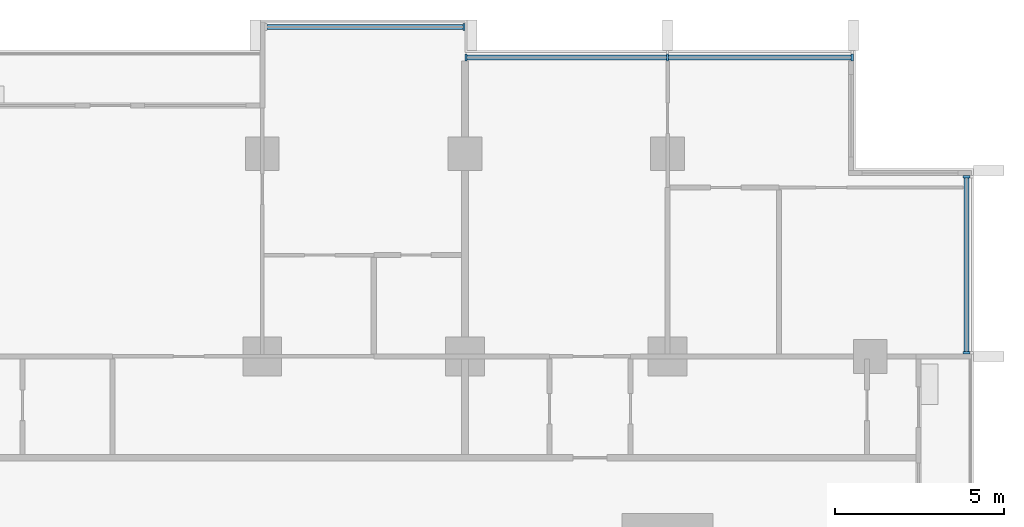
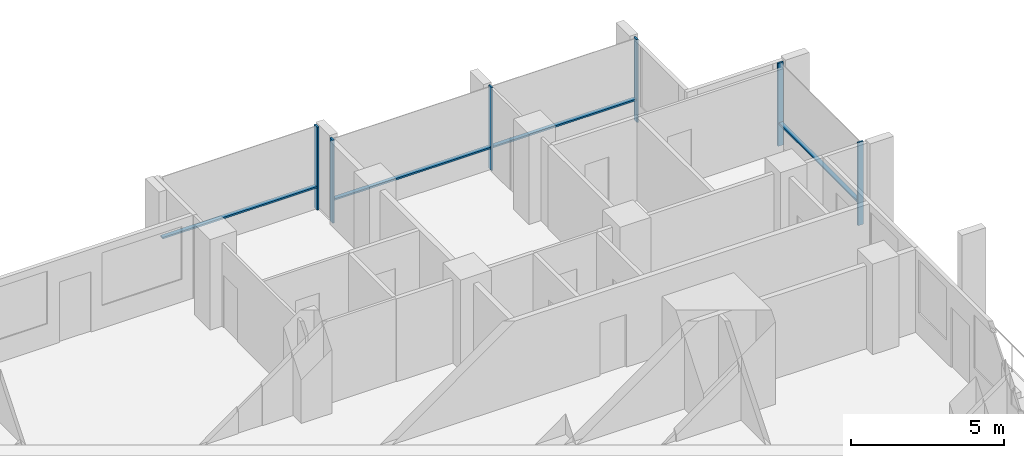
# One storey, part 5 of 17: 10 members, 3 elements without a shape of their own.
"""IFC4 building model written with IfcOpenShell, lengths in metres."""

from ifc_helpers import new_model, si_unit, direction, frame, origin, origin_2d, place, context, subcontext, project, spatial, rectangle, extrude, material, material_profile, profile_set, type_object, element, aggregate, save


model = new_model("IFC4")

# Units and contexts
model_context = context("Model", 3, precision=1e-05, world=origin(), true_north=direction((0.0, 1.0)))
body_context = subcontext(model_context, "Body", "Model", "MODEL_VIEW")
ifc_project = project(units=[si_unit("LENGTHUNIT", "METRE"), si_unit("AREAUNIT", "SQUARE_METRE"), si_unit("VOLUMEUNIT", "CUBIC_METRE"), si_unit("PLANEANGLEUNIT", "RADIAN"), si_unit("MASSUNIT", "GRAM", prefix="KILO")], contexts=[model_context])

# Site, building, storey
site_placement = place(None, origin())
site = spatial("IfcSite", under=ifc_project, at=site_placement, CompositionType="ELEMENT")
building_placement = place(site_placement, origin())
building = spatial("IfcBuilding", under=site, at=building_placement, Name="Finial Court Residences", CompositionType="ELEMENT")
storey_placement = place(building_placement, frame((0.0, 0.0, 95.5)))
storey = spatial("IfcBuildingStorey", under=building, at=storey_placement, Name="L23", CompositionType="ELEMENT", Elevation=95.5)

# Curtain wall, member
ifc_material = material(Name="Bronze anodised aluminium", Category="aluminium")
curtain_wall_type = type_object("IfcCurtainWallType", Name="Unitised curtain wall, lower and middle zones", PredefinedType="NOTDEFINED", material=ifc_material)
curtain_wall_1_placement = place(storey_placement, origin())
curtain_wall_1 = element("IfcCurtainWall", 1, at=curtain_wall_1_placement, inside=storey, type_object=curtain_wall_type, Name="E-L23-CW-N2", PredefinedType="NOTDEFINED")
ifc_material_profile_1 = material_profile(ifc_material, rectangle(XDim=0.199951171875, YDim=0.06494140625, at=origin_2d()), Name="CW1 mullion 65 x 200")
ifc_profile_set_1 = profile_set([ifc_material_profile_1], Name="Bronze anodised aluminium")
member_type_1 = type_object("IfcMemberType", Name="CW1 mullion 65 x 200", PredefinedType="MULLION", material=ifc_profile_set_1)
member_1_placement = place(storey_placement, frame((10.467529296875, 23.25, 0.0), z_axis=(0.0, 0.0, 1.0), x_axis=(0.0, 1.0, 0.0)))
member_1 = element("IfcMember", 2, at=member_1_placement, type_object=member_type_1, Name="CW1 mullion 2", PredefinedType="MULLION", context=body_context, shape_type="SweptSolid", body=[
    extrude(rectangle(XDim=0.199951171875, YDim=0.06494140625, at=origin_2d()), origin(), (0.0, 0.0, 1.0), 3.300048828125),
])

# Curtain wall, members
curtain_wall_2_placement = place(storey_placement, origin())
curtain_wall_2 = element("IfcCurtainWall", 3, at=curtain_wall_2_placement, inside=storey, type_object=curtain_wall_type, Name="E-L23-CW-N3", PredefinedType="NOTDEFINED")
member_2_placement = place(storey_placement, frame((10.532470703125, 22.35009765625, 0.0), z_axis=(0.0, 0.0, 1.0), x_axis=(0.0, 1.0, 0.0)))
member_2 = element("IfcMember", 4, at=member_2_placement, type_object=member_type_1, Name="CW1 mullion 1", PredefinedType="MULLION", context=body_context, shape_type="SweptSolid", body=[
    extrude(rectangle(XDim=0.199951171875, YDim=0.06494140625, at=origin_2d()), origin(), (0.0, 0.0, 1.0), 3.300048828125),
])
member_3_placement = place(storey_placement, frame((16.5, 22.35009765625, 0.0), z_axis=(0.0, 0.0, 1.0), x_axis=(0.0, 1.0, 0.0)))
member_3 = element("IfcMember", 5, at=member_3_placement, type_object=member_type_1, Name="CW1 mullion 2", PredefinedType="MULLION", context=body_context, shape_type="SweptSolid", body=[
    extrude(rectangle(XDim=0.199951171875, YDim=0.06494140625, at=origin_2d()), origin(), (0.0, 0.0, 1.0), 3.300048828125),
])
member_4_placement = place(storey_placement, frame((21.967529296875, 22.35009765625, 0.0), z_axis=(0.0, 0.0, 1.0), x_axis=(0.0, 1.0, 0.0)))
member_4 = element("IfcMember", 6, at=member_4_placement, type_object=member_type_1, Name="CW1 mullion 3", PredefinedType="MULLION", context=body_context, shape_type="SweptSolid", body=[
    extrude(rectangle(XDim=0.199951171875, YDim=0.06494140625, at=origin_2d()), origin(), (0.0, 0.0, 1.0), 3.300048828125),
])

curtain_wall_3_placement = place(storey_placement, origin())
curtain_wall_3 = element("IfcCurtainWall", 7, at=curtain_wall_3_placement, inside=storey, type_object=curtain_wall_type, Name="E-L23-CW-E6", PredefinedType="NOTDEFINED")
member_5_placement = place(storey_placement, frame((25.35009765625, 13.607421875, 0.0), z_axis=(0.0, 0.0, 1.0), x_axis=(-1.0, 0.0, 0.0)))
member_5 = element("IfcMember", 8, at=member_5_placement, type_object=member_type_1, Name="CW1 mullion 1", PredefinedType="MULLION", context=body_context, shape_type="SweptSolid", body=[
    extrude(rectangle(XDim=0.199951171875, YDim=0.06494140625, at=origin_2d()), origin(), (0.0, 0.0, 1.0), 3.300048828125),
])
member_6_placement = place(storey_placement, frame((25.35009765625, 18.8173828125, 0.0), z_axis=(0.0, 0.0, 1.0), x_axis=(-1.0, 0.0, 0.0)))
member_6 = element("IfcMember", 9, at=member_6_placement, type_object=member_type_1, Name="CW1 mullion 2", PredefinedType="MULLION", context=body_context, shape_type="SweptSolid", body=[
    extrude(rectangle(XDim=0.199951171875, YDim=0.06494140625, at=origin_2d()), origin(), (0.0, 0.0, 1.0), 3.300048828125),
])

# Member
ifc_material_profile_2 = material_profile(ifc_material, rectangle(XDim=0.14990234375, YDim=0.06494140625, at=origin_2d()), Name="CW1 transom 65 x 150")
ifc_profile_set_2 = profile_set([ifc_material_profile_2], Name="Bronze anodised aluminium")
member_type_2 = type_object("IfcMemberType", Name="CW1 transom 65 x 150", PredefinedType="USERDEFINED", material=ifc_profile_set_2)
member_7_placement = place(storey_placement, frame((4.639892578125, 23.25, 0.89990234375), z_axis=(1.0, 0.0, 0.0), x_axis=(0.0, 1.0, 0.0)))
member_7 = element("IfcMember", 10, at=member_7_placement, type_object=member_type_2, Name="CW1 transom 1.1", ObjectType="TRANSOM", PredefinedType="USERDEFINED", context=body_context, shape_type="SweptSolid", body=[
    extrude(rectangle(XDim=0.14990234375, YDim=0.06494140625, at=origin_2d()), origin(), (0.0, 0.0, 1.0), 5.795166015625),
])

aggregate(curtain_wall_1, [member_1, member_7])

member_8_placement = place(storey_placement, frame((10.56494140625, 22.35009765625, 0.89990234375), z_axis=(1.0, 0.0, 0.0), x_axis=(0.0, 1.0, 0.0)))
member_8 = element("IfcMember", 11, at=member_8_placement, type_object=member_type_2, Name="CW1 transom 1.1", ObjectType="TRANSOM", PredefinedType="USERDEFINED", context=body_context, shape_type="SweptSolid", body=[
    extrude(rectangle(XDim=0.14990234375, YDim=0.06494140625, at=origin_2d()), origin(), (0.0, 0.0, 1.0), 5.902587890625),
])

member_9_placement = place(storey_placement, frame((16.532470703125, 22.35009765625, 0.89990234375), z_axis=(1.0, 0.0, 0.0), x_axis=(0.0, 1.0, 0.0)))
member_9 = element("IfcMember", 12, at=member_9_placement, type_object=member_type_2, Name="CW1 transom 2.1", ObjectType="TRANSOM", PredefinedType="USERDEFINED", context=body_context, shape_type="SweptSolid", body=[
    extrude(rectangle(XDim=0.14990234375, YDim=0.06494140625, at=origin_2d()), origin(), (0.0, 0.0, 1.0), 5.402587890625),
])

aggregate(curtain_wall_2, [member_2, member_3, member_4, member_8, member_9])

member_10_placement = place(storey_placement, frame((25.35009765625, 13.639892578125, 0.89990234375), z_axis=(0.0, 1.0, 0.0), x_axis=(-1.0, 0.0, 0.0)))
member_10 = element("IfcMember", 13, at=member_10_placement, type_object=member_type_2, Name="CW1 transom 1.1", ObjectType="TRANSOM", PredefinedType="USERDEFINED", context=body_context, shape_type="SweptSolid", body=[
    extrude(rectangle(XDim=0.14990234375, YDim=0.06494140625, at=origin_2d()), origin(), (0.0, 0.0, 1.0), 5.14501953125),
])

aggregate(curtain_wall_3, [member_5, member_6, member_10])

save(model, "model.ifc")
